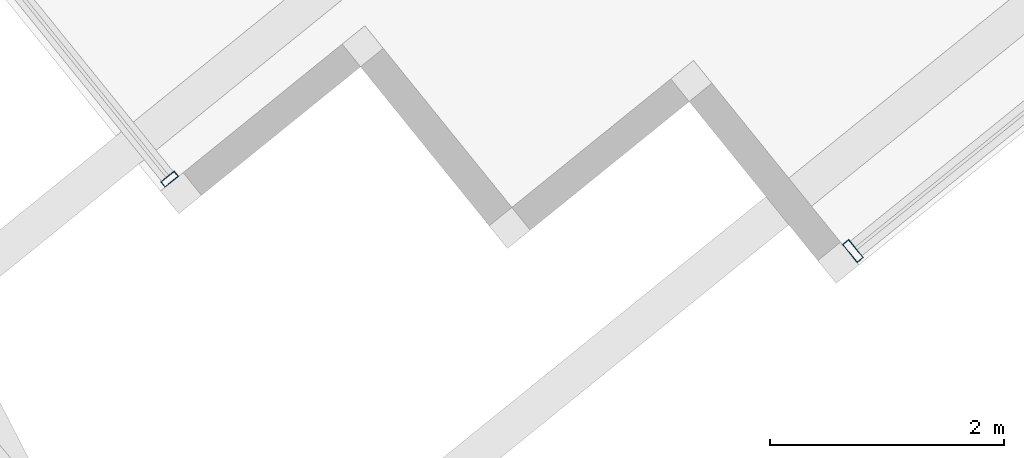
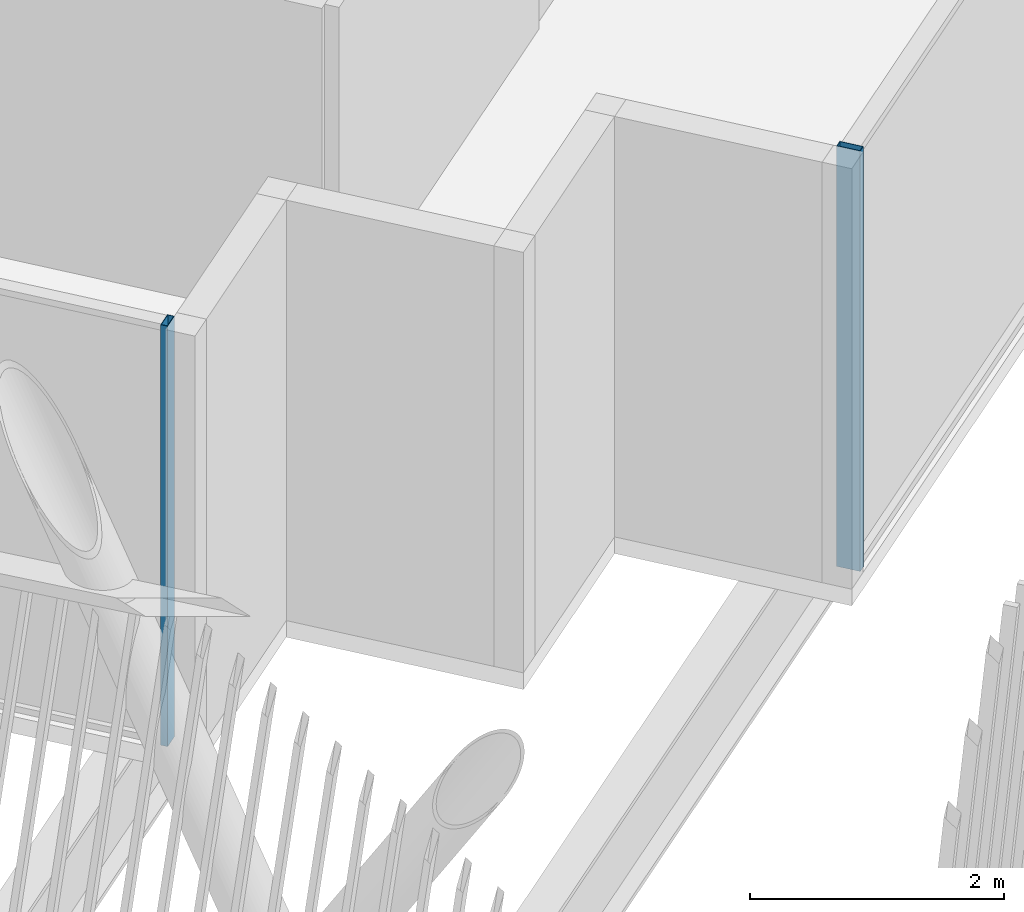
# One storey, part 8 of 36: 2 members, 2 elements without a shape of their own.
"""IFC4 building model written with IfcOpenShell, lengths in metres."""

from ifc_helpers import new_model, si_unit, direction, frame, origin, origin_2d, place, context, subcontext, project, spatial, hollow_rectangle, extrude, material, layer, layer_set, material_profile, profile_set, type_object, element, aggregate, save


model = new_model("IFC4")

# Units and contexts
model_context = context("Model", 3, precision=1e-05, world=origin(), true_north=direction((0.0, 1.0)))
body_context = subcontext(model_context, "Body", "Model", "MODEL_VIEW")
ifc_project = project(units=[si_unit("LENGTHUNIT", "METRE"), si_unit("AREAUNIT", "SQUARE_METRE"), si_unit("VOLUMEUNIT", "CUBIC_METRE"), si_unit("PLANEANGLEUNIT", "RADIAN"), si_unit("MASSUNIT", "GRAM", prefix="KILO")], contexts=[model_context])

# Site, building, storey
site_placement = place(None, origin())
site = spatial("IfcSite", under=ifc_project, at=site_placement, CompositionType="ELEMENT")
building_placement = place(site_placement, origin())
building = spatial("IfcBuilding", under=site, at=building_placement, Name="Tarsis Ring Headquarters", CompositionType="ELEMENT")
storey_placement = place(building_placement, frame((0.0, 0.0, 386.0)))
storey = spatial("IfcBuildingStorey", under=building, at=storey_placement, Name="L91", CompositionType="ELEMENT", Elevation=386.0)

# Curtain wall, member
ifc_material_1 = material(Name="Aluminium curtain wall", Category="aluminium")
ifc_layer_1 = layer(ifc_material_1, 0.199951171875)
ifc_layer_set_1 = layer_set([ifc_layer_1], Name="Curtain wall executive tip")
curtain_wall_type_1 = type_object("IfcCurtainWallType", Name="Curtain wall executive tip", PredefinedType="NOTDEFINED", material=ifc_layer_set_1)
curtain_wall_1_placement = place(storey_placement, origin())
curtain_wall_1 = element("IfcCurtainWall", 1, at=curtain_wall_1_placement, inside=storey, type_object=curtain_wall_type_1, Name="Curtain wall L91-11", PredefinedType="NOTDEFINED")
ifc_material_2 = material(Name="Aluminium mullion", Category="aluminium")
ifc_material_profile_1 = material_profile(ifc_material_2, hollow_rectangle(XDim=0.199951171875, YDim=0.070068359375, WallThickness=0.0048828125, at=origin_2d()), Name="RHS 200x70x5")
ifc_profile_set_1 = profile_set([ifc_material_profile_1], Name="Aluminium mullion")
member_type_1 = type_object("IfcMemberType", Name="Curtain wall mullion executive tip RHS 200x70x5", PredefinedType="MULLION", material=ifc_profile_set_1)
member_1_placement = place(storey_placement, frame((14.043212890625, -29.636474609375, 0.0), z_axis=(0.0, 0.0, 1.0), x_axis=(-0.628777693024, 0.777585116084, 0.0)))
member_1 = element("IfcMember", 2, at=member_1_placement, type_object=member_type_1, Name="CW-E mullion 1", PredefinedType="MULLION", context=body_context, shape_type="SweptSolid", body=[
    extrude(hollow_rectangle(XDim=0.199951171875, YDim=0.070068359375, WallThickness=0.0048828125, at=origin_2d()), origin(), (0.0, 0.0, 1.0), 4.0400390625),
])
aggregate(curtain_wall_1, [member_1])

ifc_layer_2 = layer(ifc_material_1, 0.14990234375)
ifc_layer_set_2 = layer_set([ifc_layer_2], Name="Curtain wall tower unit")
curtain_wall_type_2 = type_object("IfcCurtainWallType", Name="Curtain wall tower unit", PredefinedType="NOTDEFINED", material=ifc_layer_set_2)
curtain_wall_2_placement = place(storey_placement, origin())
curtain_wall_2 = element("IfcCurtainWall", 3, at=curtain_wall_2_placement, inside=storey, type_object=curtain_wall_type_2, Name="Curtain wall L91-06", PredefinedType="NOTDEFINED")
ifc_material_profile_2 = material_profile(ifc_material_2, hollow_rectangle(XDim=0.14990234375, YDim=0.06005859375, WallThickness=0.0048828125, at=origin_2d()), Name="RHS 150x60x5")
ifc_profile_set_2 = profile_set([ifc_material_profile_2], Name="Aluminium mullion")
member_type_2 = type_object("IfcMemberType", Name="Curtain wall mullion tower unit RHS 150x60x5", PredefinedType="MULLION", material=ifc_profile_set_2)
member_2_placement = place(storey_placement, frame((8.19580078125, -29.021484375, 0.0), z_axis=(0.0, 0.0, 1.0), x_axis=(0.777585078135, 0.628777739954, 0.0)))
member_2 = element("IfcMember", 4, at=member_2_placement, type_object=member_type_2, Name="CW-T mullion 3", PredefinedType="MULLION", context=body_context, shape_type="SweptSolid", body=[
    extrude(hollow_rectangle(XDim=0.14990234375, YDim=0.06005859375, WallThickness=0.0048828125, at=origin_2d()), origin(), (0.0, 0.0, 1.0), 4.0400390625),
])
aggregate(curtain_wall_2, [member_2])

save(model, "model.ifc")
